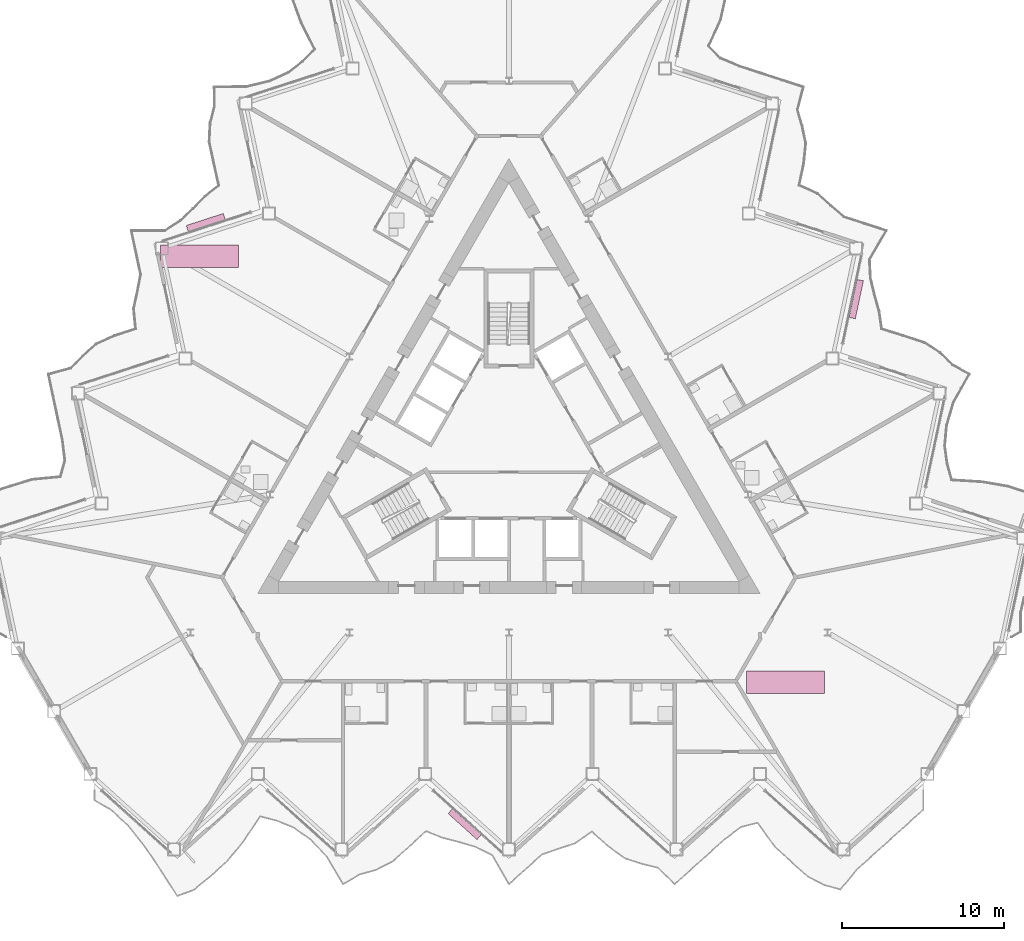
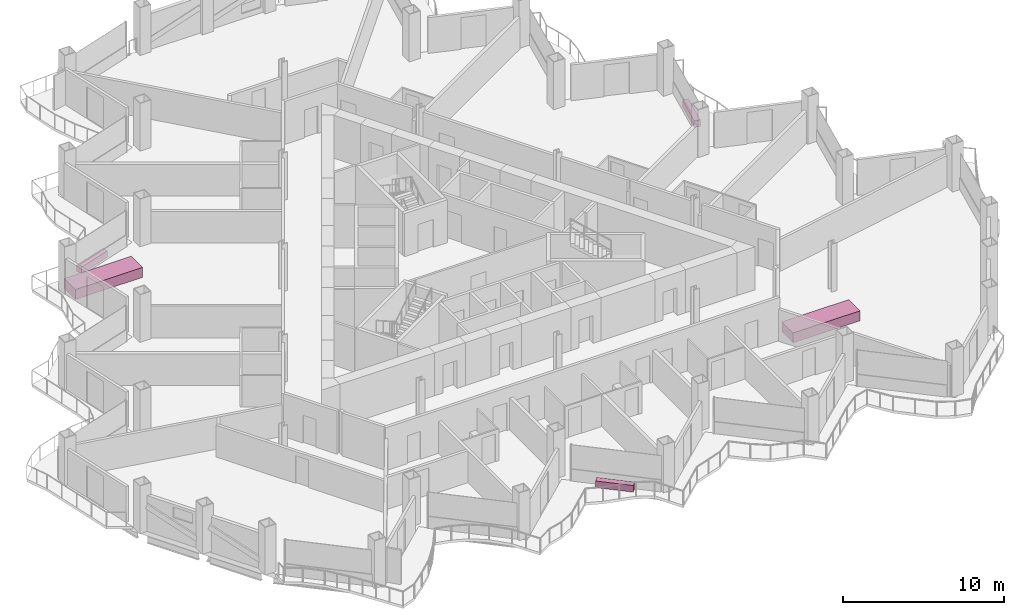
# One storey, part 23 of 23: 5 furniture elements.
"""IFC4 building model written with IfcOpenShell, lengths in metres."""

from ifc_helpers import new_model, si_unit, direction, frame, origin, origin_2d, place, context, subcontext, project, spatial, rectangle, extrude, material, type_object, element, save


model = new_model("IFC4")

# Units and contexts
model_context = context("Model", 3, precision=1e-05, world=origin(), true_north=direction((0.0, 1.0)))
body_context = subcontext(model_context, "Body", "Model", "MODEL_VIEW")
ifc_project = project(units=[si_unit("LENGTHUNIT", "METRE"), si_unit("AREAUNIT", "SQUARE_METRE"), si_unit("VOLUMEUNIT", "CUBIC_METRE"), si_unit("PLANEANGLEUNIT", "RADIAN"), si_unit("MASSUNIT", "GRAM", prefix="KILO")], contexts=[model_context])

# Site, building, storey
site_placement = place(None, origin())
site = spatial("IfcSite", under=ifc_project, at=site_placement, CompositionType="ELEMENT")
building_placement = place(site_placement, origin())
building = spatial("IfcBuilding", under=site, at=building_placement, Name="Cormorant Prow Tower", CompositionType="ELEMENT")
storey_placement = place(building_placement, frame((0.0, 0.0, 172.800048828125)))
storey = spatial("IfcBuildingStorey", under=building, at=storey_placement, Name="L36", CompositionType="ELEMENT", Elevation=172.800048828125)

# Furniture
ifc_material_1 = material(Name="Terracotta", Category="masonry")
furniture_type_1 = type_object("IfcFurnitureType", Name="Balcony planter 2400x400x500", AssemblyPlace="NOTDEFINED", PredefinedType="USERDEFINED", material=ifc_material_1)
for number, where, z_axis, x_axis, name in (
    (1, (-2.72509765625, -23.17333984375, 0.0), (0.0, 0.0, 1.0), (0.743144866726, -0.669130560548, 0.0), "Balcony planter S04"),
    (2, (21.43115234375, 9.2265625, 0.0), (0.0, 0.0, 1.0), (0.207911698927, 0.97814759901, 0.0), "Balcony planter ENE04"),
    (3, (-18.7060546875, 13.94677734375, 0.0), (0.0, 0.0, 1.0), (-0.951056534703, -0.309016937722, 0.0), "Balcony planter WNW04"),
):
    element("IfcFurniture", number, at=place(storey_placement, frame(where, z_axis=z_axis, x_axis=x_axis)), inside=storey, type_object=furniture_type_1, Name=name, ObjectType="PLANTER", PredefinedType="USERDEFINED", context=body_context, shape_type="SweptSolid", body=[
        extrude(rectangle(XDim=2.39990234375, YDim=0.39990234375, at=origin_2d()), origin(), (0.0, 0.0, 1.0), 0.5),
    ])
ifc_material_2 = material(Name="Timber joinery", Category="wood")
furniture_type_2 = type_object("IfcFurnitureType", Name="Conference table 4800x1400", AssemblyPlace="NOTDEFINED", PredefinedType="TABLE", material=ifc_material_2)
for number, where, z_axis, x_axis, name in (
    (4, (17.058837890625, -14.409423828125, 0.0), (0.0, 0.0, 1.0), (1.0, 0.0, 0.0), "Conference table"),
    (5, (-19.091552734375, 11.873779296875, 0.0), (0.0, 0.0, 1.0), (1.0, 0.0, 0.0), "Conference table"),
):
    element("IfcFurniture", number, at=place(storey_placement, frame(where, z_axis=z_axis, x_axis=x_axis)), inside=storey, type_object=furniture_type_2, Name=name, PredefinedType="TABLE", context=body_context, shape_type="SweptSolid", body=[
        extrude(rectangle(XDim=4.800048828125, YDim=1.39990234375, at=origin_2d()), origin(), (0.0, 0.0, 1.0), 0.75),
    ])

save(model, "model.ifc")
